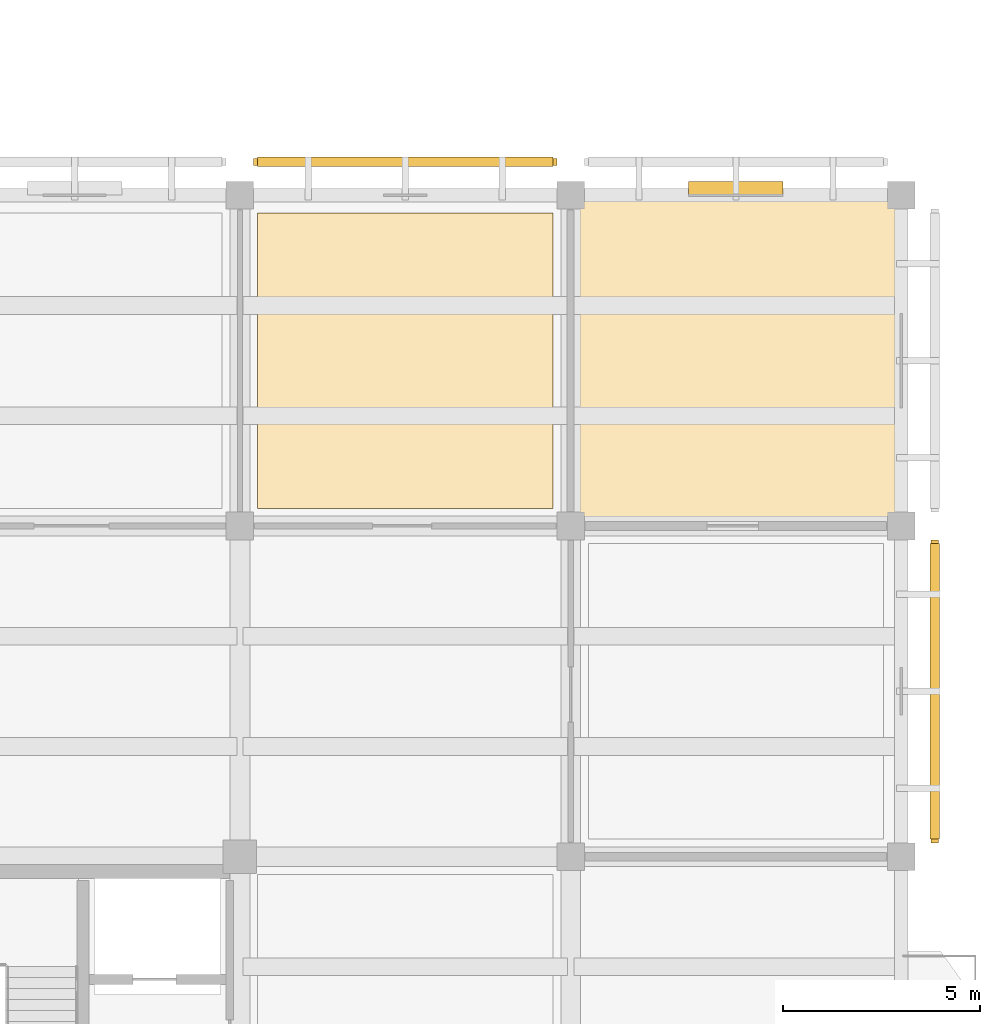
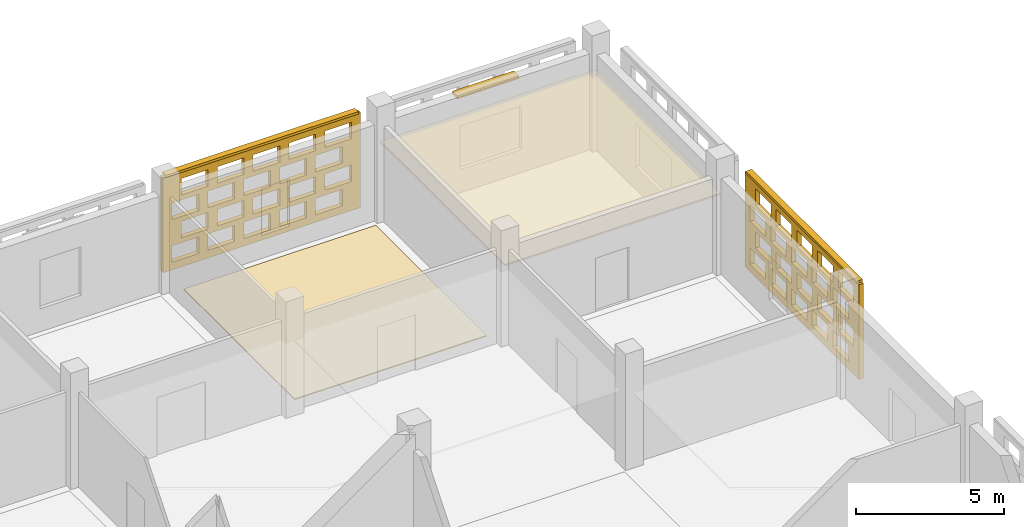
# One storey, part 128 of 129: 4 coverings, 3 shading devices, 40 openings.
"""IFC4 building model written with IfcOpenShell, lengths in metres."""

from ifc_helpers import new_model, si_unit, direction, frame, frame_2d, origin, origin_2d, place, context, subcontext, project, spatial, rectangle, extrude, material, layer, layer_set, type_object, element, save


model = new_model("IFC4")

# Units and contexts
model_context = context("Model", 3, precision=1e-05, world=origin(), true_north=direction((0.0, 1.0)))
body_context = subcontext(model_context, "Body", "Model", "MODEL_VIEW")
ifc_project = project(units=[si_unit("LENGTHUNIT", "METRE"), si_unit("AREAUNIT", "SQUARE_METRE"), si_unit("VOLUMEUNIT", "CUBIC_METRE"), si_unit("PLANEANGLEUNIT", "RADIAN"), si_unit("MASSUNIT", "GRAM", prefix="KILO")], contexts=[model_context])

# Site, building, storey
site_placement = place(None, origin())
site = spatial("IfcSite", under=ifc_project, at=site_placement, CompositionType="ELEMENT")
building_placement = place(site_placement, origin())
building = spatial("IfcBuilding", under=site, at=building_placement, Name="Varnapada Polytechnic", CompositionType="ELEMENT")
storey_placement = place(building_placement, origin())
storey = spatial("IfcBuildingStorey", under=building, at=storey_placement, Name="L00", CompositionType="ELEMENT", Elevation=0.0)

# Covering
ifc_material_1 = material(Name="Acoustic Rubber Seminar Flooring")
ifc_layer_1 = layer(ifc_material_1, 0.0400390625)
ifc_layer_set_1 = layer_set([ifc_layer_1], Name="Acoustic Rubber Seminar Flooring")
covering_type_1 = type_object("IfcCoveringType", Name="Floor Finish FLR-06", PredefinedType="FLOORING", material=ifc_layer_set_1)
covering_1_placement = place(storey_placement, frame((163.800048828125, 113.39990234375, 0.0), z_axis=(0.0, 0.0, 1.0), x_axis=(1.0, 0.0, 0.0)))
element("IfcCovering", 1, at=covering_1_placement, inside=storey, type_object=covering_type_1, Name="L00 floor finish panel (20,14)", PredefinedType="FLOORING", context=body_context, shape_type="SweptSolid", body=[
    extrude(rectangle(XDim=7.5, YDim=7.5, at=origin_2d()), origin(), (0.0, 0.0, 1.0), 0.0400390625),
])

# Shading device
ifc_material_2 = material(Name="Anodised aluminium", Category="aluminium")
ifc_layer_2 = layer(ifc_material_2, 0.35009765625)
ifc_layer_set_2 = layer_set([ifc_layer_2], Name="Anodised aluminium")
shading_device_type_1 = type_object("IfcShadingDeviceType", Name="Solar Louvre LVR-01", PredefinedType="JALOUSIE", material=ifc_layer_set_2)
shading_device_placement = place(storey_placement, frame((172.199951171875, 117.780029296875, 3.760009765625), z_axis=(0.0, 0.0, 1.0), x_axis=(1.0, 0.0, 0.0)))
element("IfcShadingDevice", 2, at=shading_device_placement, inside=storey, type_object=shading_device_type_1, Name="L00 aluminium sun louvre 112", PredefinedType="JALOUSIE", context=body_context, shape_type="SweptSolid", body=[
    extrude(rectangle(XDim=2.39990234375, YDim=0.340087890625, at=origin_2d()), origin(), (0.0, 0.0, 1.0), 0.1201171875),
])

# Covering
ifc_material_3 = material(Name="Deep Acoustic Auditorium Cloud Baffle")
ifc_layer_3 = layer(ifc_material_3, 0.06494140625)
ifc_layer_set_3 = layer_set([ifc_layer_3], Name="Deep Acoustic Auditorium Cloud Baffle")
covering_type_2 = type_object("IfcCoveringType", Name="Suspended Ceiling CLG-07", PredefinedType="CEILING", material=ifc_layer_set_3)
covering_2_placement = place(storey_placement, frame((172.199951171875, 113.39990234375, 3.017578125), z_axis=(0.0, 0.0, 1.0), x_axis=(1.0, 0.0, 0.0)))
element("IfcCovering", 3, at=covering_2_placement, inside=storey, type_object=covering_type_2, Name="L00 suspended acoustic ceiling (21,14)", PredefinedType="CEILING", context=body_context, shape_type="SweptSolid", body=[
    extrude(rectangle(XDim=8.419921875, YDim=8.419921875, at=origin_2d()), origin(), (0.0, 0.0, 1.0), 0.06494140625),
])

# Covering, openings
ifc_material_4 = material(Name="Earth-toned architectural terracotta screen block", Category="masonry")
ifc_layer_4 = layer(ifc_material_4, 0.1201171875)
ifc_layer_set_4 = layer_set([ifc_layer_4], Name="Earth-toned architectural terracotta screen block")
covering_type_3 = type_object("IfcCoveringType", Name="Terracotta Screen Cladding CLD-01", PredefinedType="CLADDING", material=ifc_layer_set_4)
covering_3_placement = place(storey_placement, frame((159.949951171875, 118.449951171875, 0.0), z_axis=(0.0, 0.0, 1.0), x_axis=(1.0, 0.0, 0.0)))
covering_3 = element("IfcCovering", 4, at=covering_3_placement, inside=storey, type_object=covering_type_3, Name="L00 perforated terracotta block screen (96)", PredefinedType="CLADDING", context=body_context, shape_type="SweptSolid", body=[
    extrude(rectangle(XDim=7.699951171875, YDim=0.179931640625, at=frame_2d((3.85009765625, 0.0))), origin(), (0.0, 0.0, 1.0), 3.919921875),
])
opening_1_placement = place(covering_3_placement, frame((0.35009765625, 0.0, 0.313720703125)))
element("IfcOpeningElement", 5, at=opening_1_placement, cuts=covering_3, Name="Screen perforation TBS-L00-095.1", PredefinedType="OPENING", context=body_context, shape_type="SweptSolid", body=[
    extrude(rectangle(XDim=1.0400390625, YDim=0.679931640625, at=frame_2d((0.52001953125, 0.33984375))), frame((0.0, 0.099853515625, 0.0), z_axis=(0.0, -1.0, 0.0), x_axis=(1.0, 0.0, 0.0)), (0.0, 0.0, 1.0), 0.199951171875),
])
opening_2_placement = place(covering_3_placement, frame((1.75, 0.0, 0.313720703125)))
element("IfcOpeningElement", 6, at=opening_2_placement, cuts=covering_3, Name="Screen perforation TBS-L00-095.2", PredefinedType="OPENING", context=body_context, shape_type="SweptSolid", body=[
    extrude(rectangle(XDim=1.0400390625, YDim=0.679931640625, at=frame_2d((0.52001953125, 0.33984375))), frame((0.0, 0.099853515625, 0.0), z_axis=(0.0, -1.0, 0.0), x_axis=(1.0, 0.0, 0.0)), (0.0, 0.0, 1.0), 0.199951171875),
])
opening_3_placement = place(covering_3_placement, frame((3.14990234375, 0.0, 0.313720703125)))
element("IfcOpeningElement", 7, at=opening_3_placement, cuts=covering_3, Name="Screen perforation TBS-L00-095.3", PredefinedType="OPENING", context=body_context, shape_type="SweptSolid", body=[
    extrude(rectangle(XDim=1.0400390625, YDim=0.679931640625, at=frame_2d((0.52001953125, 0.33984375))), frame((0.0, 0.099853515625, 0.0), z_axis=(0.0, -1.0, 0.0), x_axis=(1.0, 0.0, 0.0)), (0.0, 0.0, 1.0), 0.199951171875),
])
opening_4_placement = place(covering_3_placement, frame((4.550048828125, 0.0, 0.313720703125)))
element("IfcOpeningElement", 8, at=opening_4_placement, cuts=covering_3, Name="Screen perforation TBS-L00-095.4", PredefinedType="OPENING", context=body_context, shape_type="SweptSolid", body=[
    extrude(rectangle(XDim=1.0400390625, YDim=0.679931640625, at=frame_2d((0.52001953125, 0.33984375))), frame((0.0, 0.099853515625, 0.0), z_axis=(0.0, -1.0, 0.0), x_axis=(1.0, 0.0, 0.0)), (0.0, 0.0, 1.0), 0.199951171875),
])
opening_5_placement = place(covering_3_placement, frame((5.949951171875, 0.0, 0.313720703125)))
element("IfcOpeningElement", 9, at=opening_5_placement, cuts=covering_3, Name="Screen perforation TBS-L00-095.5", PredefinedType="OPENING", context=body_context, shape_type="SweptSolid", body=[
    extrude(rectangle(XDim=1.0400390625, YDim=0.679931640625, at=frame_2d((0.52001953125, 0.33984375))), frame((0.0, 0.099853515625, 0.0), z_axis=(0.0, -1.0, 0.0), x_axis=(1.0, 0.0, 0.0)), (0.0, 0.0, 1.0), 0.199951171875),
])
opening_6_placement = place(covering_3_placement, frame((0.7099609375, 0.0, 1.195556640625)))
element("IfcOpeningElement", 10, at=opening_6_placement, cuts=covering_3, Name="Screen perforation TBS-L00-095.6", PredefinedType="OPENING", context=body_context, shape_type="SweptSolid", body=[
    extrude(rectangle(XDim=1.0400390625, YDim=0.679931640625, at=frame_2d((0.52001953125, 0.33984375))), frame((0.0, 0.099853515625, 0.0), z_axis=(0.0, -1.0, 0.0), x_axis=(1.0, 0.0, 0.0)), (0.0, 0.0, 1.0), 0.199951171875),
])
opening_7_placement = place(covering_3_placement, frame((2.110107421875, 0.0, 1.195556640625)))
element("IfcOpeningElement", 11, at=opening_7_placement, cuts=covering_3, Name="Screen perforation TBS-L00-095.7", PredefinedType="OPENING", context=body_context, shape_type="SweptSolid", body=[
    extrude(rectangle(XDim=1.0400390625, YDim=0.679931640625, at=frame_2d((0.52001953125, 0.33984375))), frame((0.0, 0.099853515625, 0.0), z_axis=(0.0, -1.0, 0.0), x_axis=(1.0, 0.0, 0.0)), (0.0, 0.0, 1.0), 0.199951171875),
])
opening_8_placement = place(covering_3_placement, frame((3.510009765625, 0.0, 1.195556640625)))
element("IfcOpeningElement", 12, at=opening_8_placement, cuts=covering_3, Name="Screen perforation TBS-L00-095.8", PredefinedType="OPENING", context=body_context, shape_type="SweptSolid", body=[
    extrude(rectangle(XDim=1.0400390625, YDim=0.679931640625, at=frame_2d((0.52001953125, 0.33984375))), frame((0.0, 0.099853515625, 0.0), z_axis=(0.0, -1.0, 0.0), x_axis=(1.0, 0.0, 0.0)), (0.0, 0.0, 1.0), 0.199951171875),
])
opening_9_placement = place(covering_3_placement, frame((4.909912109375, 0.0, 1.195556640625)))
element("IfcOpeningElement", 13, at=opening_9_placement, cuts=covering_3, Name="Screen perforation TBS-L00-095.9", PredefinedType="OPENING", context=body_context, shape_type="SweptSolid", body=[
    extrude(rectangle(XDim=1.0400390625, YDim=0.679931640625, at=frame_2d((0.52001953125, 0.33984375))), frame((0.0, 0.099853515625, 0.0), z_axis=(0.0, -1.0, 0.0), x_axis=(1.0, 0.0, 0.0)), (0.0, 0.0, 1.0), 0.199951171875),
])
opening_10_placement = place(covering_3_placement, frame((6.31005859375, 0.0, 1.195556640625)))
element("IfcOpeningElement", 14, at=opening_10_placement, cuts=covering_3, Name="Screen perforation TBS-L00-095.10", PredefinedType="OPENING", context=body_context, shape_type="SweptSolid", body=[
    extrude(rectangle(XDim=1.0400390625, YDim=0.679931640625, at=frame_2d((0.52001953125, 0.33984375))), frame((0.0, 0.099853515625, 0.0), z_axis=(0.0, -1.0, 0.0), x_axis=(1.0, 0.0, 0.0)), (0.0, 0.0, 1.0), 0.199951171875),
])
opening_11_placement = place(covering_3_placement, frame((0.35009765625, 0.0, 2.07763671875)))
element("IfcOpeningElement", 15, at=opening_11_placement, cuts=covering_3, Name="Screen perforation TBS-L00-095.11", PredefinedType="OPENING", context=body_context, shape_type="SweptSolid", body=[
    extrude(rectangle(XDim=1.0400390625, YDim=0.679931640625, at=frame_2d((0.52001953125, 0.33984375))), frame((0.0, 0.099853515625, 0.0), z_axis=(0.0, -1.0, 0.0), x_axis=(1.0, 0.0, 0.0)), (0.0, 0.0, 1.0), 0.199951171875),
])
opening_12_placement = place(covering_3_placement, frame((1.75, 0.0, 2.07763671875)))
element("IfcOpeningElement", 16, at=opening_12_placement, cuts=covering_3, Name="Screen perforation TBS-L00-095.12", PredefinedType="OPENING", context=body_context, shape_type="SweptSolid", body=[
    extrude(rectangle(XDim=1.0400390625, YDim=0.679931640625, at=frame_2d((0.52001953125, 0.33984375))), frame((0.0, 0.099853515625, 0.0), z_axis=(0.0, -1.0, 0.0), x_axis=(1.0, 0.0, 0.0)), (0.0, 0.0, 1.0), 0.199951171875),
])
opening_13_placement = place(covering_3_placement, frame((3.14990234375, 0.0, 2.07763671875)))
element("IfcOpeningElement", 17, at=opening_13_placement, cuts=covering_3, Name="Screen perforation TBS-L00-095.13", PredefinedType="OPENING", context=body_context, shape_type="SweptSolid", body=[
    extrude(rectangle(XDim=1.0400390625, YDim=0.679931640625, at=frame_2d((0.52001953125, 0.33984375))), frame((0.0, 0.099853515625, 0.0), z_axis=(0.0, -1.0, 0.0), x_axis=(1.0, 0.0, 0.0)), (0.0, 0.0, 1.0), 0.199951171875),
])
opening_14_placement = place(covering_3_placement, frame((4.550048828125, 0.0, 2.07763671875)))
element("IfcOpeningElement", 18, at=opening_14_placement, cuts=covering_3, Name="Screen perforation TBS-L00-095.14", PredefinedType="OPENING", context=body_context, shape_type="SweptSolid", body=[
    extrude(rectangle(XDim=1.0400390625, YDim=0.679931640625, at=frame_2d((0.52001953125, 0.33984375))), frame((0.0, 0.099853515625, 0.0), z_axis=(0.0, -1.0, 0.0), x_axis=(1.0, 0.0, 0.0)), (0.0, 0.0, 1.0), 0.199951171875),
])
opening_15_placement = place(covering_3_placement, frame((5.949951171875, 0.0, 2.07763671875)))
element("IfcOpeningElement", 19, at=opening_15_placement, cuts=covering_3, Name="Screen perforation TBS-L00-095.15", PredefinedType="OPENING", context=body_context, shape_type="SweptSolid", body=[
    extrude(rectangle(XDim=1.0400390625, YDim=0.679931640625, at=frame_2d((0.52001953125, 0.33984375))), frame((0.0, 0.099853515625, 0.0), z_axis=(0.0, -1.0, 0.0), x_axis=(1.0, 0.0, 0.0)), (0.0, 0.0, 1.0), 0.199951171875),
])
opening_16_placement = place(covering_3_placement, frame((0.7099609375, 0.0, 2.959716796875)))
element("IfcOpeningElement", 20, at=opening_16_placement, cuts=covering_3, Name="Screen perforation TBS-L00-095.16", PredefinedType="OPENING", context=body_context, shape_type="SweptSolid", body=[
    extrude(rectangle(XDim=1.0400390625, YDim=0.679931640625, at=frame_2d((0.52001953125, 0.33984375))), frame((0.0, 0.099853515625, 0.0), z_axis=(0.0, -1.0, 0.0), x_axis=(1.0, 0.0, 0.0)), (0.0, 0.0, 1.0), 0.199951171875),
])
opening_17_placement = place(covering_3_placement, frame((2.110107421875, 0.0, 2.959716796875)))
element("IfcOpeningElement", 21, at=opening_17_placement, cuts=covering_3, Name="Screen perforation TBS-L00-095.17", PredefinedType="OPENING", context=body_context, shape_type="SweptSolid", body=[
    extrude(rectangle(XDim=1.0400390625, YDim=0.679931640625, at=frame_2d((0.52001953125, 0.33984375))), frame((0.0, 0.099853515625, 0.0), z_axis=(0.0, -1.0, 0.0), x_axis=(1.0, 0.0, 0.0)), (0.0, 0.0, 1.0), 0.199951171875),
])
opening_18_placement = place(covering_3_placement, frame((3.510009765625, 0.0, 2.959716796875)))
element("IfcOpeningElement", 22, at=opening_18_placement, cuts=covering_3, Name="Screen perforation TBS-L00-095.18", PredefinedType="OPENING", context=body_context, shape_type="SweptSolid", body=[
    extrude(rectangle(XDim=1.0400390625, YDim=0.679931640625, at=frame_2d((0.52001953125, 0.33984375))), frame((0.0, 0.099853515625, 0.0), z_axis=(0.0, -1.0, 0.0), x_axis=(1.0, 0.0, 0.0)), (0.0, 0.0, 1.0), 0.199951171875),
])
opening_19_placement = place(covering_3_placement, frame((4.909912109375, 0.0, 2.959716796875)))
element("IfcOpeningElement", 23, at=opening_19_placement, cuts=covering_3, Name="Screen perforation TBS-L00-095.19", PredefinedType="OPENING", context=body_context, shape_type="SweptSolid", body=[
    extrude(rectangle(XDim=1.0400390625, YDim=0.679931640625, at=frame_2d((0.52001953125, 0.33984375))), frame((0.0, 0.099853515625, 0.0), z_axis=(0.0, -1.0, 0.0), x_axis=(1.0, 0.0, 0.0)), (0.0, 0.0, 1.0), 0.199951171875),
])
opening_20_placement = place(covering_3_placement, frame((6.31005859375, 0.0, 2.959716796875)))
element("IfcOpeningElement", 24, at=opening_20_placement, cuts=covering_3, Name="Screen perforation TBS-L00-095.20", PredefinedType="OPENING", context=body_context, shape_type="SweptSolid", body=[
    extrude(rectangle(XDim=1.0400390625, YDim=0.679931640625, at=frame_2d((0.52001953125, 0.33984375))), frame((0.0, 0.099853515625, 0.0), z_axis=(0.0, -1.0, 0.0), x_axis=(1.0, 0.0, 0.0)), (0.0, 0.0, 1.0), 0.199951171875),
])

covering_4_placement = place(storey_placement, frame((177.25, 108.85009765625, 0.0), z_axis=(0.0, 0.0, 1.0), x_axis=(0.0, -1.0, 0.0)))
covering_4 = element("IfcCovering", 25, at=covering_4_placement, inside=storey, type_object=covering_type_3, Name="L00 perforated terracotta block screen (111)", PredefinedType="CLADDING", context=body_context, shape_type="SweptSolid", body=[
    extrude(rectangle(XDim=7.7001953125, YDim=0.179931640625, at=frame_2d((3.85009765625, 0.0))), origin(), (0.0, 0.0, 1.0), 3.919921875),
])
opening_21_placement = place(covering_4_placement, frame((0.35009765625, 0.0, 0.313720703125)))
element("IfcOpeningElement", 26, at=opening_21_placement, cuts=covering_4, Name="Screen perforation TBS-L00-110.1", PredefinedType="OPENING", context=body_context, shape_type="SweptSolid", body=[
    extrude(rectangle(XDim=1.0400390625, YDim=0.679931640625, at=frame_2d((0.52001953125, 0.33984375))), frame((0.0, 0.099853515625, 0.0), z_axis=(0.0, -1.0, 0.0), x_axis=(1.0, 0.0, 0.0)), (0.0, 0.0, 1.0), 0.199951171875),
])
opening_22_placement = place(covering_4_placement, frame((1.75, 0.0, 0.313720703125)))
element("IfcOpeningElement", 27, at=opening_22_placement, cuts=covering_4, Name="Screen perforation TBS-L00-110.2", PredefinedType="OPENING", context=body_context, shape_type="SweptSolid", body=[
    extrude(rectangle(XDim=1.0400390625, YDim=0.679931640625, at=frame_2d((0.52001953125, 0.33984375))), frame((0.0, 0.099853515625, 0.0), z_axis=(0.0, -1.0, 0.0), x_axis=(1.0, 0.0, 0.0)), (0.0, 0.0, 1.0), 0.199951171875),
])
opening_23_placement = place(covering_4_placement, frame((3.14990234375, 0.0, 0.313720703125)))
element("IfcOpeningElement", 28, at=opening_23_placement, cuts=covering_4, Name="Screen perforation TBS-L00-110.3", PredefinedType="OPENING", context=body_context, shape_type="SweptSolid", body=[
    extrude(rectangle(XDim=1.0400390625, YDim=0.679931640625, at=frame_2d((0.52001953125, 0.33984375))), frame((0.0, 0.099853515625, 0.0), z_axis=(0.0, -1.0, 0.0), x_axis=(1.0, 0.0, 0.0)), (0.0, 0.0, 1.0), 0.199951171875),
])
opening_24_placement = place(covering_4_placement, frame((4.550048828125, 0.0, 0.313720703125)))
element("IfcOpeningElement", 29, at=opening_24_placement, cuts=covering_4, Name="Screen perforation TBS-L00-110.4", PredefinedType="OPENING", context=body_context, shape_type="SweptSolid", body=[
    extrude(rectangle(XDim=1.0400390625, YDim=0.679931640625, at=frame_2d((0.52001953125, 0.33984375))), frame((0.0, 0.099853515625, 0.0), z_axis=(0.0, -1.0, 0.0), x_axis=(1.0, 0.0, 0.0)), (0.0, 0.0, 1.0), 0.199951171875),
])
opening_25_placement = place(covering_4_placement, frame((5.949951171875, 0.0, 0.313720703125)))
element("IfcOpeningElement", 30, at=opening_25_placement, cuts=covering_4, Name="Screen perforation TBS-L00-110.5", PredefinedType="OPENING", context=body_context, shape_type="SweptSolid", body=[
    extrude(rectangle(XDim=1.0400390625, YDim=0.679931640625, at=frame_2d((0.52001953125, 0.33984375))), frame((0.0, 0.099853515625, 0.0), z_axis=(0.0, -1.0, 0.0), x_axis=(1.0, 0.0, 0.0)), (0.0, 0.0, 1.0), 0.199951171875),
])
opening_26_placement = place(covering_4_placement, frame((0.7099609375, 0.0, 1.195556640625)))
element("IfcOpeningElement", 31, at=opening_26_placement, cuts=covering_4, Name="Screen perforation TBS-L00-110.6", PredefinedType="OPENING", context=body_context, shape_type="SweptSolid", body=[
    extrude(rectangle(XDim=1.0400390625, YDim=0.679931640625, at=frame_2d((0.52001953125, 0.33984375))), frame((0.0, 0.099853515625, 0.0), z_axis=(0.0, -1.0, 0.0), x_axis=(1.0, 0.0, 0.0)), (0.0, 0.0, 1.0), 0.199951171875),
])
opening_27_placement = place(covering_4_placement, frame((2.110107421875, 0.0, 1.195556640625)))
element("IfcOpeningElement", 32, at=opening_27_placement, cuts=covering_4, Name="Screen perforation TBS-L00-110.7", PredefinedType="OPENING", context=body_context, shape_type="SweptSolid", body=[
    extrude(rectangle(XDim=1.0400390625, YDim=0.679931640625, at=frame_2d((0.52001953125, 0.33984375))), frame((0.0, 0.099853515625, 0.0), z_axis=(0.0, -1.0, 0.0), x_axis=(1.0, 0.0, 0.0)), (0.0, 0.0, 1.0), 0.199951171875),
])
opening_28_placement = place(covering_4_placement, frame((3.510009765625, 0.0, 1.195556640625)))
element("IfcOpeningElement", 33, at=opening_28_placement, cuts=covering_4, Name="Screen perforation TBS-L00-110.8", PredefinedType="OPENING", context=body_context, shape_type="SweptSolid", body=[
    extrude(rectangle(XDim=1.0400390625, YDim=0.679931640625, at=frame_2d((0.52001953125, 0.33984375))), frame((0.0, 0.099853515625, 0.0), z_axis=(0.0, -1.0, 0.0), x_axis=(1.0, 0.0, 0.0)), (0.0, 0.0, 1.0), 0.199951171875),
])
opening_29_placement = place(covering_4_placement, frame((4.909912109375, 0.0, 1.195556640625)))
element("IfcOpeningElement", 34, at=opening_29_placement, cuts=covering_4, Name="Screen perforation TBS-L00-110.9", PredefinedType="OPENING", context=body_context, shape_type="SweptSolid", body=[
    extrude(rectangle(XDim=1.0400390625, YDim=0.679931640625, at=frame_2d((0.52001953125, 0.33984375))), frame((0.0, 0.099853515625, 0.0), z_axis=(0.0, -1.0, 0.0), x_axis=(1.0, 0.0, 0.0)), (0.0, 0.0, 1.0), 0.199951171875),
])
opening_30_placement = place(covering_4_placement, frame((6.31005859375, 0.0, 1.195556640625)))
element("IfcOpeningElement", 35, at=opening_30_placement, cuts=covering_4, Name="Screen perforation TBS-L00-110.10", PredefinedType="OPENING", context=body_context, shape_type="SweptSolid", body=[
    extrude(rectangle(XDim=1.0400390625, YDim=0.679931640625, at=frame_2d((0.52001953125, 0.33984375))), frame((0.0, 0.099853515625, 0.0), z_axis=(0.0, -1.0, 0.0), x_axis=(1.0, 0.0, 0.0)), (0.0, 0.0, 1.0), 0.199951171875),
])
opening_31_placement = place(covering_4_placement, frame((0.35009765625, 0.0, 2.07763671875)))
element("IfcOpeningElement", 36, at=opening_31_placement, cuts=covering_4, Name="Screen perforation TBS-L00-110.11", PredefinedType="OPENING", context=body_context, shape_type="SweptSolid", body=[
    extrude(rectangle(XDim=1.0400390625, YDim=0.679931640625, at=frame_2d((0.52001953125, 0.33984375))), frame((0.0, 0.099853515625, 0.0), z_axis=(0.0, -1.0, 0.0), x_axis=(1.0, 0.0, 0.0)), (0.0, 0.0, 1.0), 0.199951171875),
])
opening_32_placement = place(covering_4_placement, frame((1.75, 0.0, 2.07763671875)))
element("IfcOpeningElement", 37, at=opening_32_placement, cuts=covering_4, Name="Screen perforation TBS-L00-110.12", PredefinedType="OPENING", context=body_context, shape_type="SweptSolid", body=[
    extrude(rectangle(XDim=1.0400390625, YDim=0.679931640625, at=frame_2d((0.52001953125, 0.33984375))), frame((0.0, 0.099853515625, 0.0), z_axis=(0.0, -1.0, 0.0), x_axis=(1.0, 0.0, 0.0)), (0.0, 0.0, 1.0), 0.199951171875),
])
opening_33_placement = place(covering_4_placement, frame((3.14990234375, 0.0, 2.07763671875)))
element("IfcOpeningElement", 38, at=opening_33_placement, cuts=covering_4, Name="Screen perforation TBS-L00-110.13", PredefinedType="OPENING", context=body_context, shape_type="SweptSolid", body=[
    extrude(rectangle(XDim=1.0400390625, YDim=0.679931640625, at=frame_2d((0.52001953125, 0.33984375))), frame((0.0, 0.099853515625, 0.0), z_axis=(0.0, -1.0, 0.0), x_axis=(1.0, 0.0, 0.0)), (0.0, 0.0, 1.0), 0.199951171875),
])
opening_34_placement = place(covering_4_placement, frame((4.550048828125, 0.0, 2.07763671875)))
element("IfcOpeningElement", 39, at=opening_34_placement, cuts=covering_4, Name="Screen perforation TBS-L00-110.14", PredefinedType="OPENING", context=body_context, shape_type="SweptSolid", body=[
    extrude(rectangle(XDim=1.0400390625, YDim=0.679931640625, at=frame_2d((0.52001953125, 0.33984375))), frame((0.0, 0.099853515625, 0.0), z_axis=(0.0, -1.0, 0.0), x_axis=(1.0, 0.0, 0.0)), (0.0, 0.0, 1.0), 0.199951171875),
])
opening_35_placement = place(covering_4_placement, frame((5.949951171875, 0.0, 2.07763671875)))
element("IfcOpeningElement", 40, at=opening_35_placement, cuts=covering_4, Name="Screen perforation TBS-L00-110.15", PredefinedType="OPENING", context=body_context, shape_type="SweptSolid", body=[
    extrude(rectangle(XDim=1.0400390625, YDim=0.679931640625, at=frame_2d((0.52001953125, 0.33984375))), frame((0.0, 0.099853515625, 0.0), z_axis=(0.0, -1.0, 0.0), x_axis=(1.0, 0.0, 0.0)), (0.0, 0.0, 1.0), 0.199951171875),
])
opening_36_placement = place(covering_4_placement, frame((0.7099609375, 0.0, 2.959716796875)))
element("IfcOpeningElement", 41, at=opening_36_placement, cuts=covering_4, Name="Screen perforation TBS-L00-110.16", PredefinedType="OPENING", context=body_context, shape_type="SweptSolid", body=[
    extrude(rectangle(XDim=1.0400390625, YDim=0.679931640625, at=frame_2d((0.52001953125, 0.33984375))), frame((0.0, 0.099853515625, 0.0), z_axis=(0.0, -1.0, 0.0), x_axis=(1.0, 0.0, 0.0)), (0.0, 0.0, 1.0), 0.199951171875),
])
opening_37_placement = place(covering_4_placement, frame((2.110107421875, 0.0, 2.959716796875)))
element("IfcOpeningElement", 42, at=opening_37_placement, cuts=covering_4, Name="Screen perforation TBS-L00-110.17", PredefinedType="OPENING", context=body_context, shape_type="SweptSolid", body=[
    extrude(rectangle(XDim=1.0400390625, YDim=0.679931640625, at=frame_2d((0.52001953125, 0.33984375))), frame((0.0, 0.099853515625, 0.0), z_axis=(0.0, -1.0, 0.0), x_axis=(1.0, 0.0, 0.0)), (0.0, 0.0, 1.0), 0.199951171875),
])
opening_38_placement = place(covering_4_placement, frame((3.510009765625, 0.0, 2.959716796875)))
element("IfcOpeningElement", 43, at=opening_38_placement, cuts=covering_4, Name="Screen perforation TBS-L00-110.18", PredefinedType="OPENING", context=body_context, shape_type="SweptSolid", body=[
    extrude(rectangle(XDim=1.0400390625, YDim=0.679931640625, at=frame_2d((0.52001953125, 0.33984375))), frame((0.0, 0.099853515625, 0.0), z_axis=(0.0, -1.0, 0.0), x_axis=(1.0, 0.0, 0.0)), (0.0, 0.0, 1.0), 0.199951171875),
])
opening_39_placement = place(covering_4_placement, frame((4.909912109375, 0.0, 2.959716796875)))
element("IfcOpeningElement", 44, at=opening_39_placement, cuts=covering_4, Name="Screen perforation TBS-L00-110.19", PredefinedType="OPENING", context=body_context, shape_type="SweptSolid", body=[
    extrude(rectangle(XDim=1.0400390625, YDim=0.679931640625, at=frame_2d((0.52001953125, 0.33984375))), frame((0.0, 0.099853515625, 0.0), z_axis=(0.0, -1.0, 0.0), x_axis=(1.0, 0.0, 0.0)), (0.0, 0.0, 1.0), 0.199951171875),
])
opening_40_placement = place(covering_4_placement, frame((6.31005859375, 0.0, 2.959716796875)))
element("IfcOpeningElement", 45, at=opening_40_placement, cuts=covering_4, Name="Screen perforation TBS-L00-110.20", PredefinedType="OPENING", context=body_context, shape_type="SweptSolid", body=[
    extrude(rectangle(XDim=1.0400390625, YDim=0.679931640625, at=frame_2d((0.52001953125, 0.33984375))), frame((0.0, 0.099853515625, 0.0), z_axis=(0.0, -1.0, 0.0), x_axis=(1.0, 0.0, 0.0)), (0.0, 0.0, 1.0), 0.199951171875),
])

# Shading devices
ifc_layer_5 = layer(ifc_material_4, 0.179931640625)
ifc_layer_set_5 = layer_set([ifc_layer_5], Name="Earth-toned architectural terracotta screen block")
shading_device_type_2 = type_object("IfcShadingDeviceType", Name="Terracotta Screen SCR-02", PredefinedType="USERDEFINED", material=ifc_layer_set_5)
for number, where, z_axis, x_axis, name in (
    (46, (163.800048828125, 118.449951171875, 3.909912109375), (0.0, 0.0, 1.0), (1.0, 0.0, 0.0), "L00 perforated terracotta screen hood 68"),
    (47, (177.25, 105.0, 3.909912109375), (0.0, 0.0, 1.0), (0.0, -1.0, 0.0), "L00 perforated terracotta screen hood 81"),
):
    element("IfcShadingDevice", number, at=place(storey_placement, frame(where, z_axis=z_axis, x_axis=x_axis)), inside=storey, type_object=shading_device_type_2, Name=name, ObjectType="SCREEN", PredefinedType="USERDEFINED", context=body_context, shape_type="SweptSolid", body=[
        extrude(rectangle(XDim=7.5, YDim=0.239990234375, at=origin_2d()), origin(), (0.0, 0.0, 1.0), 0.10009765625),
    ])

save(model, "model.ifc")
